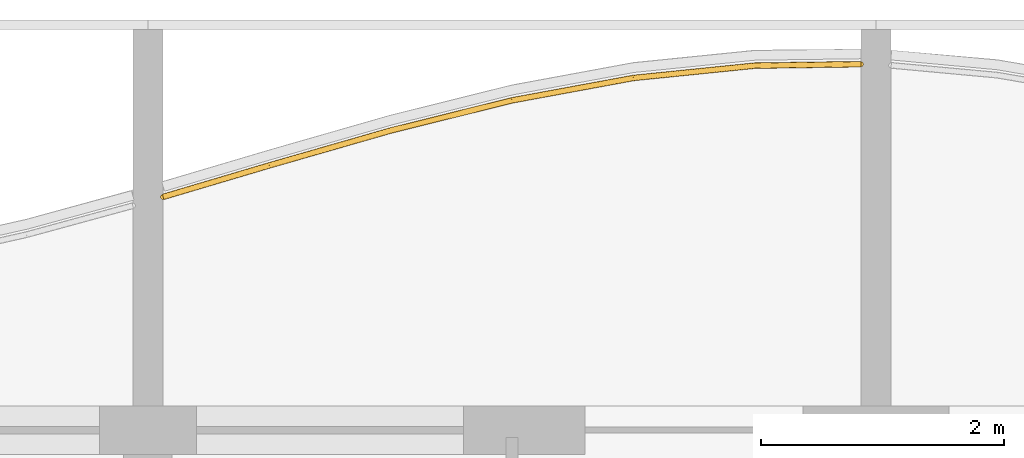
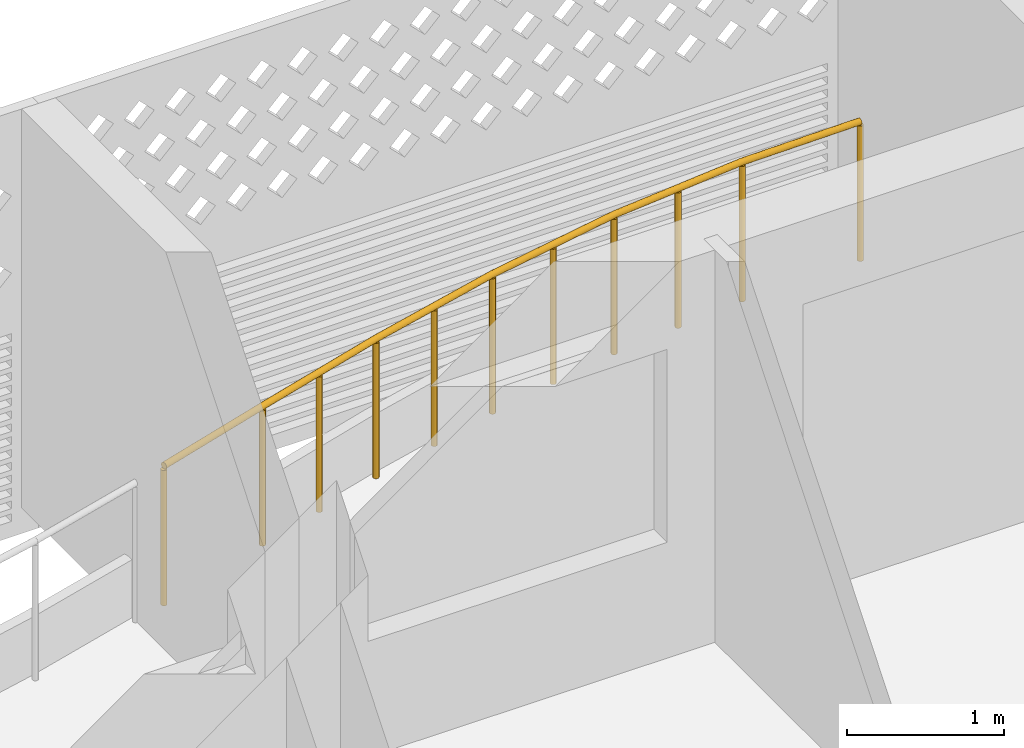
# One storey, part 34 of 44: 1 railing.
"""IFC4 building model written with IfcOpenShell, lengths in metres."""

from ifc_helpers import new_model, si_unit, direction, frame, origin, origin_2d, place, context, subcontext, project, spatial, circle, extrude, material, type_object, element, save


model = new_model("IFC4")

# Units and contexts
model_context = context("Model", 3, precision=1e-05, world=origin(), true_north=direction((0.0, 1.0)))
body_context = subcontext(model_context, "Body", "Model", "MODEL_VIEW")
ifc_project = project(units=[si_unit("LENGTHUNIT", "METRE"), si_unit("AREAUNIT", "SQUARE_METRE"), si_unit("VOLUMEUNIT", "CUBIC_METRE"), si_unit("PLANEANGLEUNIT", "RADIAN"), si_unit("MASSUNIT", "GRAM", prefix="KILO")], contexts=[model_context])

# Site, building, storey
site_placement = place(None, origin())
site = spatial("IfcSite", under=ifc_project, at=site_placement, CompositionType="ELEMENT")
building_placement = place(site_placement, origin())
building = spatial("IfcBuilding", under=site, at=building_placement, Name="Poui Terraces", CompositionType="ELEMENT")
storey_placement = place(building_placement, frame((0.0, 0.0, 26.699951171875)))
storey = spatial("IfcBuildingStorey", under=building, at=storey_placement, Name="L06", CompositionType="ELEMENT", Elevation=26.699951171875)

# Railing
ifc_material = material(Name="Painted steel fretwork", Category="steel")
railing_type = type_object("IfcRailingType", Name="BALCONY GUARD 1100", PredefinedType="GUARDRAIL", material=ifc_material)
railing_placement = place(storey_placement, frame((54.125, 46.72216796875, 0.0)))
element("IfcRailing", 1, at=railing_placement, inside=storey, type_object=railing_type, Name="BALCONY GUARD", PredefinedType="GUARDRAIL", context=body_context, shape_type="SweptSolid", body=[
    extrude(circle(Radius=0.02392578125, at=origin_2d()), frame((0.0, 0.0, 1.076171875), z_axis=(0.95871981657, 0.284352445595, 0.0), x_axis=(-0.284352445595, 0.95871981657, 0.0)), (0.0, 0.0, 1.0), 0.91259765625),
    extrude(circle(Radius=0.02392578125, at=origin_2d()), frame((0.875, 0.259521484375, 1.076171875), z_axis=(0.961106681232, 0.276177383743, 0.0), x_axis=(-0.276177383743, 0.961106681232, 0.0)), (0.0, 0.0, 1.0), 1.04052734375),
    extrude(circle(Radius=0.02392578125, at=origin_2d()), frame((1.875, 0.546875, 1.076171875), z_axis=(0.970476070643, 0.241197421854, 0.0), x_axis=(-0.241197421854, 0.970476070643, 0.0)), (0.0, 0.0, 1.0), 1.030517578125),
    extrude(circle(Radius=0.02392578125, at=origin_2d()), frame((2.875, 0.79541015625, 1.076171875), z_axis=(0.983390092547, 0.181504616691, 0.0), x_axis=(-0.181504616691, 0.983390092547, 0.0)), (0.0, 0.0, 1.0), 1.016845703125),
    extrude(circle(Radius=0.02392578125, at=origin_2d()), frame((3.875, 0.97998046875, 1.076171875), z_axis=(0.994882088655, 0.101042712129, 0.0), x_axis=(-0.101042712129, 0.994882088655, 0.0)), (0.0, 0.0, 1.0), 1.005126953125),
    extrude(circle(Radius=0.02392578125, at=origin_2d()), frame((4.875, 1.08154296875, 1.076171875), z_axis=(0.999902700497, 0.013949535442, 0.0), x_axis=(-0.013949535442, 0.999902700497, 0.0)), (0.0, 0.0, 1.0), 0.875),
    extrude(circle(Radius=0.02099609375, at=origin_2d()), origin(), (0.0, 0.0, 1.0), 1.052001953125),
    extrude(circle(Radius=0.02099609375, at=origin_2d()), frame((0.875, 0.259521484375, 0.0)), (0.0, 0.0, 1.0), 1.052001953125),
    extrude(circle(Radius=0.02099609375, at=origin_2d()), frame((1.375, 0.4033203125, 0.0)), (0.0, 0.0, 1.0), 1.052001953125),
    extrude(circle(Radius=0.02099609375, at=origin_2d()), frame((1.875, 0.546875, 0.0)), (0.0, 0.0, 1.0), 1.052001953125),
    extrude(circle(Radius=0.02099609375, at=origin_2d()), frame((2.375, 0.671142578125, 0.0)), (0.0, 0.0, 1.0), 1.052001953125),
    extrude(circle(Radius=0.02099609375, at=origin_2d()), frame((2.875, 0.79541015625, 0.0)), (0.0, 0.0, 1.0), 1.052001953125),
    extrude(circle(Radius=0.02099609375, at=origin_2d()), frame((3.375, 0.8876953125, 0.0)), (0.0, 0.0, 1.0), 1.052001953125),
    extrude(circle(Radius=0.02099609375, at=origin_2d()), frame((3.875, 0.97998046875, 0.0)), (0.0, 0.0, 1.0), 1.052001953125),
    extrude(circle(Radius=0.02099609375, at=origin_2d()), frame((4.375, 1.03076171875, 0.0)), (0.0, 0.0, 1.0), 1.052001953125),
    extrude(circle(Radius=0.02099609375, at=origin_2d()), frame((4.875, 1.08154296875, 0.0)), (0.0, 0.0, 1.0), 1.052001953125),
    extrude(circle(Radius=0.02099609375, at=origin_2d()), frame((5.75, 1.09375, 0.0)), (0.0, 0.0, 1.0), 1.052001953125),
])

save(model, "model.ifc")
